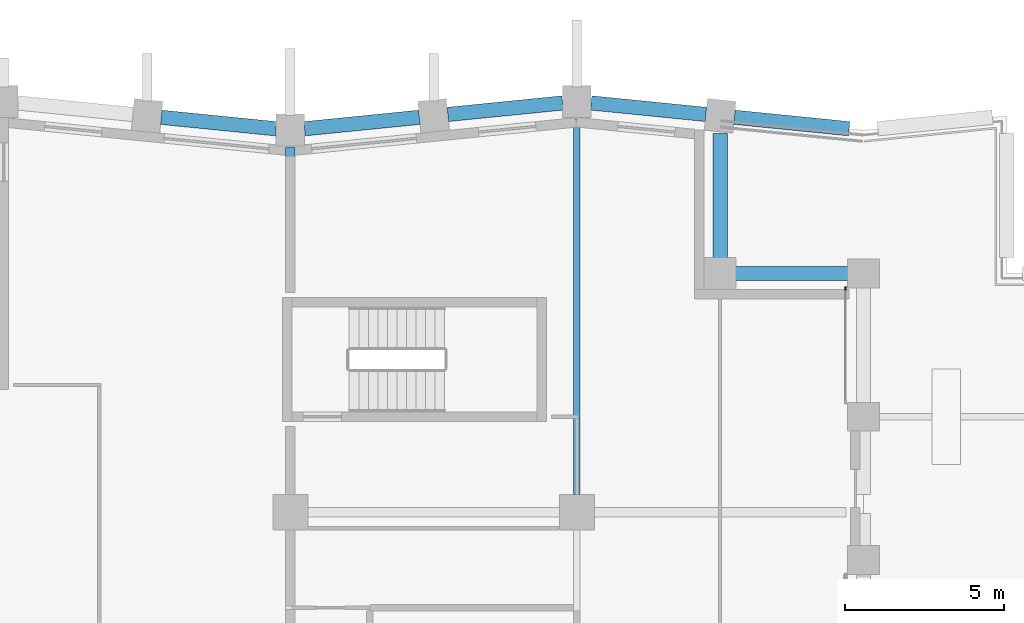
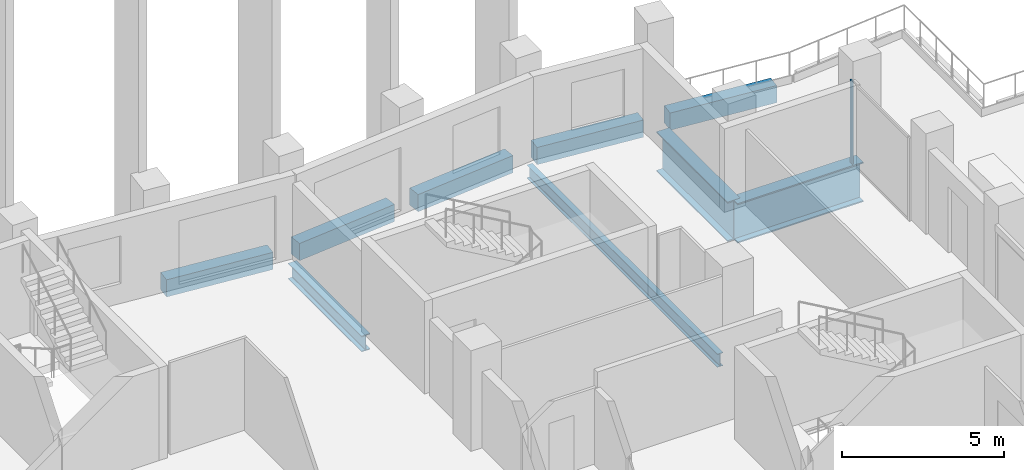
# One storey, part 9 of 19: 9 beams, 1 member, 1 element without a shape of its own.
"""IFC4 building model written with IfcOpenShell, lengths in metres."""

import ifcopenshell
import ifcopenshell.guid

model = None  # the IFC model being written
_history = None  # IfcOwnerHistory: only IFC2X3 demands one
_inside = {}  # id of a spatial element -> (the spatial element, [elements in it])
_under = {}  # id of a project, library or spatial element -> (it, [spatial elements below it])
_declared = {}  # id of a project -> (the project, [libraries it declares])
_typed = {}  # id of a type object -> (the type object, [elements of that type])
_made_of = {}  # id of a material, layer set ... -> (it, [elements and type objects made of it])


def new_model(schema):
    """Start an empty IFC model of exactly this schema.

    Asked for "IFC4X3", IfcOpenShell would pick the latest addendum, in which some entities
    have other attributes; the version numbers below select the first issue.
    IFC2X3 requires an IfcOwnerHistory on every rooted entity: one is made here for all.
    """
    global model, _history
    if schema == "IFC4X3":
        model = ifcopenshell.file(schema_version=(4, 3, 0, 0))
    else:
        model = ifcopenshell.file(schema=schema)
    _inside.clear()
    _under.clear()
    _declared.clear()
    _typed.clear()
    _made_of.clear()
    _history = None
    if model.schema == "IFC2X3":
        org = make("IfcOrganization", Name="unknown")
        user = make(
            "IfcPersonAndOrganization",
            ThePerson=make("IfcPerson", FamilyName="unknown"),
            TheOrganization=org,
        )
        app = make(
            "IfcApplication",
            ApplicationDeveloper=org,
            Version="unknown",
            ApplicationFullName="unknown",
            ApplicationIdentifier="unknown",
        )
        _history = make(
            "IfcOwnerHistory",
            OwningUser=user,
            OwningApplication=app,
            ChangeAction="ADDED",
            CreationDate=0,
        )
    return model


def make(cls, **values):
    """One entity of the class cls with the attributes given. An attribute that is None is left unset."""
    return model.create_entity(
        cls, **{name: value for name, value in values.items() if value is not None}
    )


def rooted(cls, **values):
    """An entity with a GlobalId (a new one), such as an element, a storey or a relation."""
    return make(cls, GlobalId=ifcopenshell.guid.new(), OwnerHistory=_history, **values)


def si_unit(unit_type, name, prefix=None):
    """IfcSIUnit, for example si_unit("LENGTHUNIT", "METRE", prefix="MILLI")."""
    return make("IfcSIUnit", UnitType=unit_type, Prefix=prefix, Name=name)


def assignment(units):
    """IfcUnitAssignment: the units of a project."""
    return None if units is None else make("IfcUnitAssignment", Units=units)


def point(xyz):
    """IfcCartesianPoint."""
    return None if xyz is None else make("IfcCartesianPoint", Coordinates=xyz)


def direction(xyz):
    """IfcDirection."""
    return None if xyz is None else make("IfcDirection", DirectionRatios=xyz)


def frame(location, z_axis=None, x_axis=None):
    """IfcAxis2Placement3D, a coordinate frame: its origin and axes. An axis left out is left unset."""
    return make(
        "IfcAxis2Placement3D",
        Location=point(location),
        Axis=direction(z_axis),
        RefDirection=direction(x_axis),
    )


def frame_2d(location, x_axis=None):
    """IfcAxis2Placement2D, a coordinate frame in the plane: its origin and x axis."""
    return make(
        "IfcAxis2Placement2D", Location=point(location), RefDirection=direction(x_axis)
    )


def origin():
    """The frame at (0, 0, 0) with its axes left unset."""
    return frame((0.0, 0.0, 0.0))


def origin_2d():
    """The frame at (0, 0) in the plane with its x axis left unset."""
    return frame_2d((0.0, 0.0))


def place(relative_to, where):
    """IfcLocalPlacement: puts the frame where relative to a parent placement (None: the world)."""
    return make(
        "IfcLocalPlacement", PlacementRelTo=relative_to, RelativePlacement=where
    )


def context(
    kind, dimensions, precision=None, world=None, true_north=None, identifier=None
):
    """IfcGeometricRepresentationContext, for example the 3D "Model" context."""
    return make(
        "IfcGeometricRepresentationContext",
        ContextIdentifier=identifier,
        ContextType=kind,
        CoordinateSpaceDimension=dimensions,
        Precision=precision,
        WorldCoordinateSystem=world,
        TrueNorth=true_north,
    )


def subcontext(parent, identifier, kind, view, scale=None):
    """IfcGeometricRepresentationSubContext, for example "Body" below "Model"."""
    return make(
        "IfcGeometricRepresentationSubContext",
        ContextIdentifier=identifier,
        ContextType=kind,
        ParentContext=parent,
        TargetScale=scale,
        TargetView=view,
    )


def project(units=None, contexts=None):
    """IfcProject with its units and contexts."""
    return rooted(
        "IfcProject",
        Name="project",
        RepresentationContexts=contexts,
        UnitsInContext=assignment(units),
    )


def spatial(cls, under=None, at=None, **own):
    """A site, building, storey or space (cls), placed at a placement, below another one or the project."""
    s = rooted(cls, ObjectPlacement=at, **own)
    if under is not None:
        _under.setdefault(under.id(), (under, []))[1].append(s)
    return s


def profile(cls, at=None, kind="AREA", **sizes):
    """A parametric profile (cls). Its sizes go by their IFC names, for example OverallWidth=200.0."""
    return make(cls, ProfileType=kind, Position=at, **sizes)


def rectangle(**sizes):
    """IfcRectangleProfileDef."""
    return profile("IfcRectangleProfileDef", **sizes)


def i_section(**sizes):
    """IfcIShapeProfileDef."""
    return profile("IfcIShapeProfileDef", **sizes)


def extrude(swept, where, along, depth):
    """IfcExtrudedAreaSolid: the profile swept, set in the frame where, extruded along a direction by depth."""
    return make(
        "IfcExtrudedAreaSolid",
        SweptArea=swept,
        Position=where,
        ExtrudedDirection=direction(along),
        Depth=depth,
    )


def shape(context_of_items, identifier, shape_type, items):
    """IfcShapeRepresentation: the items that make up one representation, for example the "Body"."""
    return make(
        "IfcShapeRepresentation",
        ContextOfItems=context_of_items,
        RepresentationIdentifier=identifier,
        RepresentationType=shape_type,
        Items=items,
    )


def material(Name=None, Category=None):
    """IfcMaterial."""
    return make("IfcMaterial", Name=Name, Category=Category)


def material_profile(
    of_material, cross_section, Name=None, Category=None, Priority=None
):
    """IfcMaterialProfile: a cross section and its material."""
    return make(
        "IfcMaterialProfile",
        Name=Name,
        Material=of_material,
        Profile=cross_section,
        Priority=Priority,
        Category=Category,
    )


def profile_set(profiles, Name=None, composite=None):
    """IfcMaterialProfileSet."""
    return make(
        "IfcMaterialProfileSet",
        Name=Name,
        MaterialProfiles=profiles,
        CompositeProfile=composite,
    )


def made_of(thing, what):
    """Note that an element or type object is made of a material, layer set ...; save() writes the relation."""
    if what is not None:
        _made_of.setdefault(what.id(), (what, []))[1].append(thing)
    return thing


def type_object(cls, material=None, **own):
    """A type object (cls), such as IfcWallType, which elements share."""
    return made_of(rooted(cls, **own), material)


def element(
    cls,
    number,
    at=None,
    inside=None,
    cuts=None,
    type_object=None,
    material=None,
    context=None,
    identifier="Body",
    shape_type=None,
    held_by="IfcProductDefinitionShape",
    body=None,
    shapes=None,
    **own,
):
    """One element of the class cls, such as IfcWall. Its Tag is "e" and its number.

    at: its placement. inside: the storey or other place that contains it. cuts: it is an
    opening in that element (IfcRelVoidsElement). A single representation is given by context,
    identifier, shape_type and body (its items); several are given by shapes. held_by: the class
    of the entity that holds the representations. save() writes the other relations.
    """
    e = rooted(cls, Tag="e%d" % number, ObjectPlacement=at, **own)
    if body is not None:
        shapes = [shape(context, identifier, shape_type, body)]
    if shapes is not None:
        e.Representation = make(held_by, Representations=shapes)
    if inside is not None:
        _inside.setdefault(inside.id(), (inside, []))[1].append(e)
    if cuts is not None:
        rooted(
            "IfcRelVoidsElement", RelatingBuildingElement=cuts, RelatedOpeningElement=e
        )
    if type_object is not None:
        _typed.setdefault(type_object.id(), (type_object, []))[1].append(e)
    return made_of(e, material)


def aggregate(whole, parts):
    """IfcRelAggregates: a whole, such as a stair, and the parts it consists of."""
    return rooted("IfcRelAggregates", RelatingObject=whole, RelatedObjects=parts)


def save(model, path):
    """Write the relations noted so far, then the file.

    IfcRelAggregates (storeys below a building ...), IfcRelContainedInSpatialStructure (elements
    in a storey), IfcRelDefinesByType, IfcRelAssociatesMaterial and IfcRelDeclares: one each for
    every whole, place, type object, material and project.
    """
    for whole, parts in _under.values():
        aggregate(whole, parts)
    for where, things in _inside.values():
        rooted(
            "IfcRelContainedInSpatialStructure",
            RelatedElements=things,
            RelatingStructure=where,
        )
    for kind, things in _typed.values():
        rooted("IfcRelDefinesByType", RelatedObjects=things, RelatingType=kind)
    for what, things in _made_of.values():
        rooted("IfcRelAssociatesMaterial", RelatedObjects=things, RelatingMaterial=what)
    for by, libraries in _declared.values():
        rooted("IfcRelDeclares", RelatingContext=by, RelatedDefinitions=libraries)
    model.write(path)


model = new_model("IFC4")

# Units and contexts
model_context = context("Model", 3, precision=1e-05, world=origin(), true_north=direction((0.0, 1.0)))
body_context = subcontext(model_context, "Body", "Model", "MODEL_VIEW")
ifc_project = project(units=[si_unit("LENGTHUNIT", "METRE"), si_unit("AREAUNIT", "SQUARE_METRE"), si_unit("VOLUMEUNIT", "CUBIC_METRE"), si_unit("PLANEANGLEUNIT", "RADIAN"), si_unit("MASSUNIT", "GRAM", prefix="KILO")], contexts=[model_context])

# Site, building, storey
site_placement = place(None, origin())
site = spatial("IfcSite", under=ifc_project, at=site_placement, CompositionType="ELEMENT")
building_placement = place(site_placement, origin())
building = spatial("IfcBuilding", under=site, at=building_placement, Name="Brondeck Convention Tower", CompositionType="ELEMENT")
storey_placement = place(building_placement, frame((0.0, 0.0, 198.800048828125)))
storey = spatial("IfcBuildingStorey", under=building, at=storey_placement, Name="L48", CompositionType="ELEMENT", Elevation=198.800048828125)

# Curtain wall, member
ifc_material_1 = material(Name="Aluminium, bronze anodised", Category="aluminium")
curtain_wall_type = type_object("IfcCurtainWallType", Name="Terrace door screen curtain wall", PredefinedType="NOTDEFINED", material=ifc_material_1)
curtain_wall_placement = place(storey_placement, origin())
curtain_wall = element("IfcCurtainWall", 1, at=curtain_wall_placement, inside=storey, type_object=curtain_wall_type, Name="ENV-CW6-L48-A-E54-06", PredefinedType="NOTDEFINED")
ifc_material_profile_1 = material_profile(ifc_material_1, rectangle(XDim=0.050048828125, YDim=0.1201171875, at=origin_2d()), Name="CW6 mullion")
ifc_profile_set_1 = profile_set([ifc_material_profile_1], Name="Aluminium, bronze anodised")
member_type = type_object("IfcMemberType", Name="CW6 mullion", PredefinedType="MULLION", material=ifc_profile_set_1)
member_placement = place(storey_placement, frame((53.43994140625, 58.02490234375, 0.0), z_axis=(0.0, 0.0, 1.0), x_axis=(1.0, 0.0, 0.0)))
member = element("IfcMember", 2, at=member_placement, type_object=member_type, Name="CW6 mullion 1", PredefinedType="MULLION", context=body_context, shape_type="SweptSolid", body=[
    extrude(rectangle(XDim=0.050048828125, YDim=0.1201171875, at=origin_2d()), origin(), (0.0, 0.0, 1.0), 3.14990234375),
])
aggregate(curtain_wall, [member])

# Beams
ifc_material_2 = material(Name="Steel S355", Category="steel")
ifc_material_profile_2 = material_profile(ifc_material_2, i_section(OverallWidth=0.199951171875, OverallDepth=0.5, WebThickness=0.01025390625, FlangeThickness=0.01611328125, FilletRadius=0.02099609375, at=origin_2d()), Name="IPE 500")
ifc_profile_set_2 = profile_set([ifc_material_profile_2], Name="Steel S355")
beam_type_1 = type_object("IfcBeamType", Name="Floor beam IPE 500", PredefinedType="BEAM", material=ifc_profile_set_2)
beam_1_placement = place(storey_placement, frame((45.0, 51.550048828125, -0.550048828125), z_axis=(0.0, 1.0, 0.0), x_axis=(-1.0, 0.0, 0.0)))
element("IfcBeam", 3, at=beam_1_placement, inside=storey, type_object=beam_type_1, Name="STR-FB-L48-002", PredefinedType="BEAM", context=body_context, shape_type="SweptSolid", body=[
    extrude(i_section(OverallWidth=0.199951171875, OverallDepth=0.5, WebThickness=0.01025390625, FlangeThickness=0.01611328125, FilletRadius=0.02099609375, at=origin_2d()), origin(), (0.0, 0.0, 1.0), 11.800048828125),
])
ifc_material_profile_3 = material_profile(ifc_material_2, i_section(OverallWidth=0.300048828125, OverallDepth=0.60009765625, WebThickness=0.015380859375, FlangeThickness=0.030029296875, FilletRadius=0.027099609375, at=origin_2d()), Name="HEB 600")
ifc_profile_set_3 = profile_set([ifc_material_profile_3], Name="Steel S355")
beam_type_2 = type_object("IfcBeamType", Name="Girder HEB 600", PredefinedType="BEAM", material=ifc_profile_set_3)
beam_2_placement = place(storey_placement, frame((36.0, 57.89990234375, -0.60009765625), z_axis=(0.0, 1.0, 0.0), x_axis=(-1.0, 0.0, 0.0)))
element("IfcBeam", 4, at=beam_2_placement, inside=storey, type_object=beam_type_2, Name="STR-GR-L48-008", PredefinedType="BEAM", context=body_context, shape_type="SweptSolid", body=[
    extrude(i_section(OverallWidth=0.300048828125, OverallDepth=0.60009765625, WebThickness=0.015380859375, FlangeThickness=0.030029296875, FilletRadius=0.027099609375, at=origin_2d()), origin(), (0.0, 0.0, 1.0), 4.550048828125),
])
ifc_material_3 = material(Name="Concrete C50/60", Category="concrete")
ifc_material_profile_4 = material_profile(ifc_material_3, rectangle(XDim=0.449951171875, YDim=0.64990234375, at=origin_2d()), Name="Precast spandrel 450x650 Concrete C50/60")
ifc_profile_set_4 = profile_set([ifc_material_profile_4], Name="Concrete C50/60")
beam_type_3 = type_object("IfcBeamType", Name="Precast spandrel 450x650 Concrete C50/60", PredefinedType="SPANDREL", material=ifc_profile_set_4)
for number, where, z_axis, x_axis, name in (
    (5, (49.05224609375, 63.494873046875, -0.324951171875), (-0.995040528141, 0.099470334057, 0.0), (-0.099470334057, -0.995040528141, 0.0), "STR-SP-L48-005"),
    (6, (44.550048828125, 63.85498046875, -0.324951171875), (-0.995040528141, -0.099470334057, 0.0), (0.099470334057, -0.995040528141, 0.0), "STR-SP-L48-006"),
    (7, (40.05224609375, 63.4052734375, -0.324951171875), (-0.995033851182, -0.099537103649, 0.0), (0.099537103649, -0.995033851182, 0.0), "STR-SP-L48-007"),
    (8, (35.550048828125, 63.044921875, -0.324951171875), (-0.995033851182, 0.099537103649, 0.0), (-0.099537103649, -0.995033851182, 0.0), "STR-SP-L48-008"),
    (9, (49.94775390625, 63.4052734375, -0.324951171875), (0.995033851182, -0.099537103649, 0.0), (0.099537103649, 0.995033851182, 0.0), "STR-SP-L48T2-014"),
):
    element("IfcBeam", number, at=place(storey_placement, frame(where, z_axis=z_axis, x_axis=x_axis)), inside=storey, type_object=beam_type_3, Name=name, PredefinedType="SPANDREL", context=body_context, shape_type="SweptSolid", body=[
        extrude(rectangle(XDim=0.449951171875, YDim=0.64990234375, at=origin_2d()), origin(), (0.0, 0.0, 1.0), 3.620361328125),
    ])
ifc_material_4 = material(Name="Steel S460", Category="steel")
ifc_material_profile_5 = material_profile(ifc_material_4, i_section(OverallWidth=0.449951171875, OverallDepth=1.5, WebThickness=0.02490234375, FlangeThickness=0.044921875, at=origin_2d()), Name="PG 1500x450")
ifc_profile_set_5 = profile_set([ifc_material_profile_5], Name="Steel S460")
beam_type_4 = type_object("IfcBeamType", Name="Transfer girder PG 1500x450", PredefinedType="BEAM", material=ifc_profile_set_5)
beam_3_placement = place(storey_placement, frame((54.0, 58.5, -1.050048828125), z_axis=(-1.0, 0.0, 0.0), x_axis=(0.0, -1.0, 0.0)))
element("IfcBeam", 10, at=beam_3_placement, inside=storey, type_object=beam_type_4, Name="Setback transfer girder PG-L48-22", PredefinedType="BEAM", context=body_context, shape_type="SweptSolid", body=[
    extrude(i_section(OverallWidth=0.449951171875, OverallDepth=1.5, WebThickness=0.02490234375, FlangeThickness=0.044921875, at=origin_2d()), origin(), (0.0, 0.0, 1.0), 4.5),
])
beam_4_placement = place(storey_placement, frame((49.5, 58.5, -1.050048828125), z_axis=(0.0, 1.0, 0.0), x_axis=(-1.0, 0.0, 0.0)))
element("IfcBeam", 11, at=beam_4_placement, inside=storey, type_object=beam_type_4, Name="Setback transfer girder PG-L48-23", PredefinedType="BEAM", context=body_context, shape_type="SweptSolid", body=[
    extrude(i_section(OverallWidth=0.449951171875, OverallDepth=1.5, WebThickness=0.02490234375, FlangeThickness=0.044921875, at=origin_2d()), origin(), (0.0, 0.0, 1.0), 4.397216796875),
])

save(model, "model.ifc")
